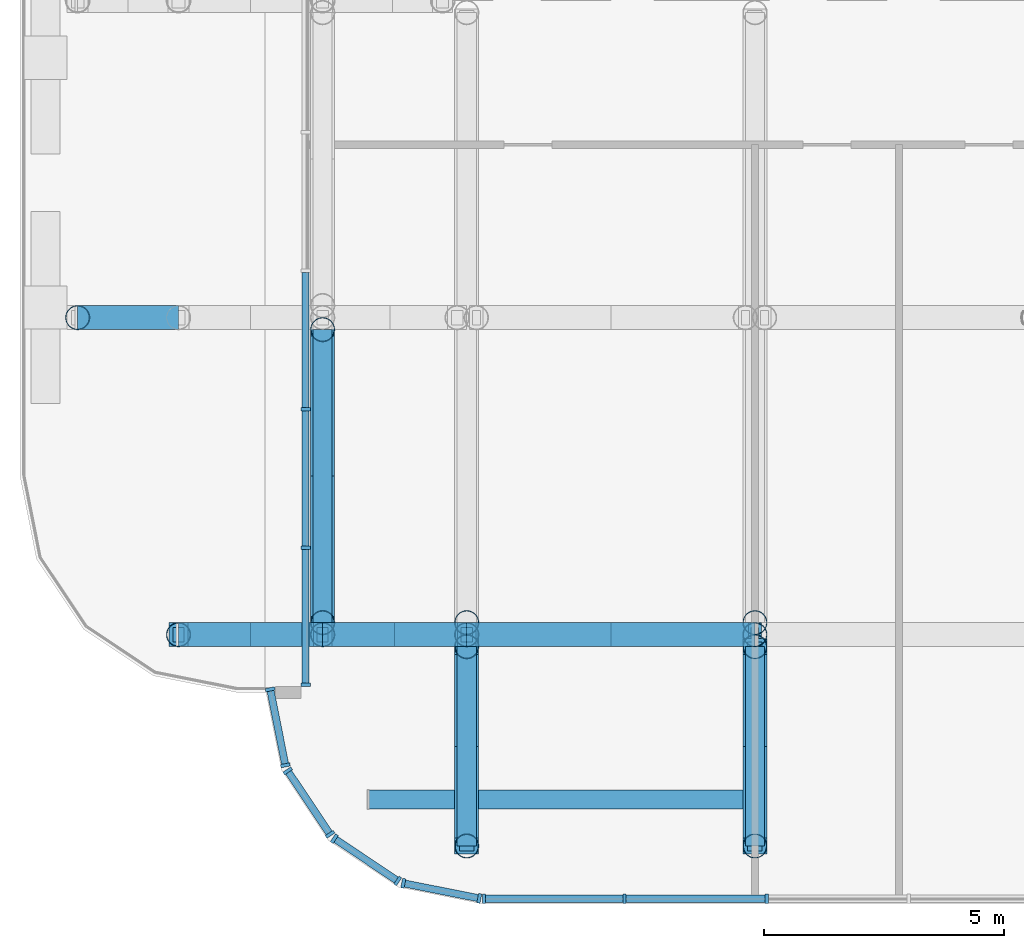
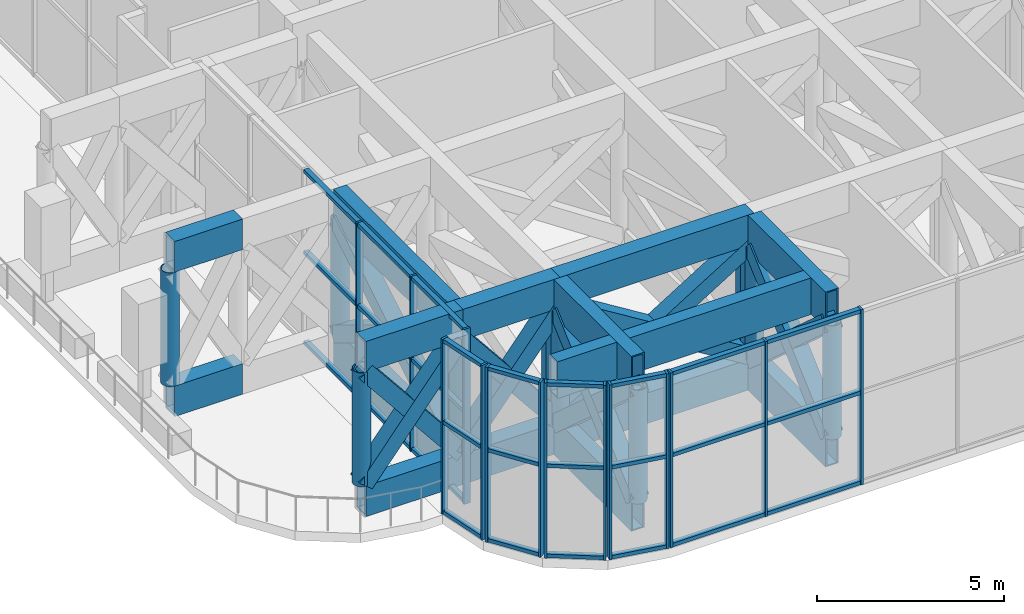
# One storey, part 1 of 25: 66 members, 15 beams, 6 elements without a shape of their own.
"""IFC4 building model written with IfcOpenShell, lengths in metres."""

from ifc_helpers import new_model, si_unit, direction, frame, origin, origin_2d, place, context, subcontext, project, spatial, rectangle, hollow_rectangle, hollow_circle, extrude, material, layer, layer_set, material_profile, profile_set, type_object, element, aggregate, save


model = new_model("IFC4")

# Units and contexts
model_context = context("Model", 3, precision=1e-05, world=origin(), true_north=direction((0.0, 1.0)))
body_context = subcontext(model_context, "Body", "Model", "MODEL_VIEW")
ifc_project = project(units=[si_unit("LENGTHUNIT", "METRE"), si_unit("AREAUNIT", "SQUARE_METRE"), si_unit("VOLUMEUNIT", "CUBIC_METRE"), si_unit("PLANEANGLEUNIT", "RADIAN"), si_unit("MASSUNIT", "GRAM", prefix="KILO")], contexts=[model_context])

# Site, building, storey
site_placement = place(None, origin())
site = spatial("IfcSite", under=ifc_project, at=site_placement, CompositionType="ELEMENT")
building_placement = place(site_placement, origin())
building = spatial("IfcBuilding", under=site, at=building_placement, Name="Torana Hotel and Residences", CompositionType="ELEMENT")
storey_placement = place(building_placement, frame((0.0, 0.0, 106.800048828125)))
storey = spatial("IfcBuildingStorey", under=building, at=storey_placement, Name="L27", CompositionType="ELEMENT", Elevation=106.800048828125)

# Curtain wall, members
ifc_material_1 = material(Name="Dark anodised aluminium", Category="aluminium")
ifc_layer = layer(ifc_material_1, 0.199951171875)
ifc_layer_set = layer_set([ifc_layer], Name="CW2 SKY LOBBY UNITISED CURTAIN WALL")
curtain_wall_type = type_object("IfcCurtainWallType", Name="CW2 SKY LOBBY UNITISED CURTAIN WALL", PredefinedType="NOTDEFINED", material=ifc_layer_set)
curtain_wall_1_placement = place(storey_placement, origin())
curtain_wall_1 = element("IfcCurtainWall", 1, at=curtain_wall_1_placement, inside=storey, type_object=curtain_wall_type, Name="Curtain wall CW2 L27 e0.9-2", PredefinedType="NOTDEFINED")
ifc_material_2 = material(Name="Dark anodised aluminium", Category="aluminium")
ifc_material_profile_1 = material_profile(ifc_material_2, rectangle(XDim=0.199951171875, YDim=0.070068359375, at=origin_2d()), Name="CW2 MULLION 70x200")
ifc_profile_set_1 = profile_set([ifc_material_profile_1], Name="Dark anodised aluminium")
member_type_1 = type_object("IfcMemberType", Name="CW2 MULLION 70x200", PredefinedType="MULLION", material=ifc_profile_set_1)
member_1_placement = place(storey_placement, frame((-27.35498046875, -23.508544921875, 0.0), z_axis=(0.0, 0.0, 1.0), x_axis=(1.0, 0.0, 0.0)))
member_1 = element("IfcMember", 2, at=member_1_placement, type_object=member_type_1, Name="CW2 mullion 4", PredefinedType="MULLION", context=body_context, shape_type="SweptSolid", body=[
    extrude(rectangle(XDim=0.199951171875, YDim=0.070068359375, at=origin_2d()), origin(), (0.0, 0.0, 1.0), 5.719970703125),
])
member_2_placement = place(storey_placement, frame((-27.35498046875, -26.39208984375, 0.0), z_axis=(0.0, 0.0, 1.0), x_axis=(1.0, 0.0, 0.0)))
member_2 = element("IfcMember", 3, at=member_2_placement, type_object=member_type_1, Name="CW2 mullion 5", PredefinedType="MULLION", context=body_context, shape_type="SweptSolid", body=[
    extrude(rectangle(XDim=0.199951171875, YDim=0.070068359375, at=origin_2d()), origin(), (0.0, 0.0, 1.0), 5.719970703125),
])
member_3_placement = place(storey_placement, frame((-27.35498046875, -29.240478515625, 0.0), z_axis=(0.0, 0.0, 1.0), x_axis=(1.0, 0.0, 0.0)))
member_3 = element("IfcMember", 4, at=member_3_placement, type_object=member_type_1, Name="CW2 mullion 6", PredefinedType="MULLION", context=body_context, shape_type="SweptSolid", body=[
    extrude(rectangle(XDim=0.199951171875, YDim=0.070068359375, at=origin_2d()), origin(), (0.0, 0.0, 1.0), 5.719970703125),
])

curtain_wall_2_placement = place(storey_placement, origin())
curtain_wall_2 = element("IfcCurtainWall", 5, at=curtain_wall_2_placement, inside=storey, type_object=curtain_wall_type, Name="Curtain wall CW2 L27 e0.10-1", PredefinedType="NOTDEFINED")
member_4_placement = place(storey_placement, frame((-28.09033203125, -29.3388671875, 0.0), z_axis=(0.0, 0.0, 1.0), x_axis=(0.980790545928, 0.195063848566, 0.0)))
member_4 = element("IfcMember", 6, at=member_4_placement, type_object=member_type_1, Name="CW2 mullion 1", PredefinedType="MULLION", context=body_context, shape_type="SweptSolid", body=[
    extrude(rectangle(XDim=0.199951171875, YDim=0.070068359375, at=origin_2d()), origin(), (0.0, 0.0, 1.0), 5.719970703125),
])
member_5_placement = place(storey_placement, frame((-27.77587890625, -30.91943359375, 0.0), z_axis=(0.0, 0.0, 1.0), x_axis=(0.980790545928, 0.195063848566, 0.0)))
member_5 = element("IfcMember", 7, at=member_5_placement, type_object=member_type_1, Name="CW2 mullion 2", PredefinedType="MULLION", context=body_context, shape_type="SweptSolid", body=[
    extrude(rectangle(XDim=0.199951171875, YDim=0.070068359375, at=origin_2d()), origin(), (0.0, 0.0, 1.0), 5.719970703125),
])

curtain_wall_3_placement = place(storey_placement, origin())
curtain_wall_3 = element("IfcCurtainWall", 8, at=curtain_wall_3_placement, inside=storey, type_object=curtain_wall_type, Name="Curtain wall CW2 L27 e0.11-1", PredefinedType="NOTDEFINED")
member_6_placement = place(storey_placement, frame((-27.727294921875, -31.037109375, 0.0), z_axis=(0.0, 0.0, 1.0), x_axis=(0.831473968618, 0.555563713278, 0.0)))
member_6 = element("IfcMember", 9, at=member_6_placement, type_object=member_type_1, Name="CW2 mullion 1", PredefinedType="MULLION", context=body_context, shape_type="SweptSolid", body=[
    extrude(rectangle(XDim=0.199951171875, YDim=0.070068359375, at=origin_2d()), origin(), (0.0, 0.0, 1.0), 5.719970703125),
])
member_7_placement = place(storey_placement, frame((-26.845947265625, -32.35595703125, 0.0), z_axis=(0.0, 0.0, 1.0), x_axis=(0.831473968618, 0.555563713278, 0.0)))
member_7 = element("IfcMember", 10, at=member_7_placement, type_object=member_type_1, Name="CW2 mullion 2", PredefinedType="MULLION", context=body_context, shape_type="SweptSolid", body=[
    extrude(rectangle(XDim=0.199951171875, YDim=0.070068359375, at=origin_2d()), origin(), (0.0, 0.0, 1.0), 5.719970703125),
])

curtain_wall_4_placement = place(storey_placement, origin())
curtain_wall_4 = element("IfcCurtainWall", 11, at=curtain_wall_4_placement, inside=storey, type_object=curtain_wall_type, Name="Curtain wall CW2 L27 e0.12-1", PredefinedType="NOTDEFINED")
member_8_placement = place(storey_placement, frame((-26.756103515625, -32.446044921875, 0.0), z_axis=(0.0, 0.0, 1.0), x_axis=(0.555563713278, 0.831473968618, 0.0)))
member_8 = element("IfcMember", 12, at=member_8_placement, type_object=member_type_1, Name="CW2 mullion 1", PredefinedType="MULLION", context=body_context, shape_type="SweptSolid", body=[
    extrude(rectangle(XDim=0.199951171875, YDim=0.070068359375, at=origin_2d()), origin(), (0.0, 0.0, 1.0), 5.719970703125),
])
member_9_placement = place(storey_placement, frame((-25.43701171875, -33.3271484375, 0.0), z_axis=(0.0, 0.0, 1.0), x_axis=(0.555563713278, 0.831473968618, 0.0)))
member_9 = element("IfcMember", 13, at=member_9_placement, type_object=member_type_1, Name="CW2 mullion 2", PredefinedType="MULLION", context=body_context, shape_type="SweptSolid", body=[
    extrude(rectangle(XDim=0.199951171875, YDim=0.070068359375, at=origin_2d()), origin(), (0.0, 0.0, 1.0), 5.719970703125),
])

curtain_wall_5_placement = place(storey_placement, origin())
curtain_wall_5 = element("IfcCurtainWall", 14, at=curtain_wall_5_placement, inside=storey, type_object=curtain_wall_type, Name="Curtain wall CW2 L27 e0.13-1", PredefinedType="NOTDEFINED")
member_10_placement = place(storey_placement, frame((-25.319580078125, -33.3759765625, 0.0), z_axis=(0.0, 0.0, 1.0), x_axis=(0.195063848566, 0.980790545928, 0.0)))
member_10 = element("IfcMember", 15, at=member_10_placement, type_object=member_type_1, Name="CW2 mullion 1", PredefinedType="MULLION", context=body_context, shape_type="SweptSolid", body=[
    extrude(rectangle(XDim=0.199951171875, YDim=0.070068359375, at=origin_2d()), origin(), (0.0, 0.0, 1.0), 5.719970703125),
])
member_11_placement = place(storey_placement, frame((-23.739013671875, -33.690185546875, 0.0), z_axis=(0.0, 0.0, 1.0), x_axis=(0.195063848566, 0.980790545928, 0.0)))
member_11 = element("IfcMember", 16, at=member_11_placement, type_object=member_type_1, Name="CW2 mullion 2", PredefinedType="MULLION", context=body_context, shape_type="SweptSolid", body=[
    extrude(rectangle(XDim=0.199951171875, YDim=0.070068359375, at=origin_2d()), origin(), (0.0, 0.0, 1.0), 5.719970703125),
])

curtain_wall_6_placement = place(storey_placement, origin())
curtain_wall_6 = element("IfcCurtainWall", 17, at=curtain_wall_6_placement, inside=storey, type_object=curtain_wall_type, Name="Curtain wall CW2 L27 e0.14-1", PredefinedType="NOTDEFINED")
member_12_placement = place(storey_placement, frame((-23.640380859375, -33.699951171875, 0.0), z_axis=(0.0, 0.0, 1.0), x_axis=(0.0, 1.0, 0.0)))
member_12 = element("IfcMember", 18, at=member_12_placement, type_object=member_type_1, Name="CW2 mullion 1", PredefinedType="MULLION", context=body_context, shape_type="SweptSolid", body=[
    extrude(rectangle(XDim=0.199951171875, YDim=0.070068359375, at=origin_2d()), origin(), (0.0, 0.0, 1.0), 5.719970703125),
])
member_13_placement = place(storey_placement, frame((-20.716064453125, -33.699951171875, 0.0), z_axis=(0.0, 0.0, 1.0), x_axis=(0.0, 1.0, 0.0)))
member_13 = element("IfcMember", 19, at=member_13_placement, type_object=member_type_1, Name="CW2 mullion 2", PredefinedType="MULLION", context=body_context, shape_type="SweptSolid", body=[
    extrude(rectangle(XDim=0.199951171875, YDim=0.070068359375, at=origin_2d()), origin(), (0.0, 0.0, 1.0), 5.719970703125),
])
member_14_placement = place(storey_placement, frame((-17.756591796875, -33.699951171875, 0.0), z_axis=(0.0, 0.0, 1.0), x_axis=(0.0, 1.0, 0.0)))
member_14 = element("IfcMember", 20, at=member_14_placement, type_object=member_type_1, Name="CW2 mullion 3", PredefinedType="MULLION", context=body_context, shape_type="SweptSolid", body=[
    extrude(rectangle(XDim=0.199951171875, YDim=0.070068359375, at=origin_2d()), origin(), (0.0, 0.0, 1.0), 5.719970703125),
])

# Member
ifc_material_3 = material(Name="Dark anodised aluminium", Category="aluminium")
ifc_material_profile_2 = material_profile(ifc_material_3, rectangle(XDim=0.14990234375, YDim=0.1201171875, at=origin_2d()), Name="CW2 TRANSOM 150x120")
ifc_profile_set_2 = profile_set([ifc_material_profile_2], Name="Dark anodised aluminium")
member_type_2 = type_object("IfcMemberType", Name="CW2 TRANSOM 150x120", PredefinedType="USERDEFINED", material=ifc_profile_set_2)
member_15_placement = place(storey_placement, frame((-27.35498046875, -20.66015625, 0.06005859375), z_axis=(0.0, -1.0, 0.0), x_axis=(1.0, 0.0, 0.0)))
member_15 = element("IfcMember", 21, at=member_15_placement, type_object=member_type_2, Name="CW2 transom 3.1", ObjectType="TRANSOM", PredefinedType="USERDEFINED", context=body_context, shape_type="SweptSolid", body=[
    extrude(rectangle(XDim=0.14990234375, YDim=0.1201171875, at=origin_2d()), origin(), (0.0, 0.0, 1.0), 2.8134765625),
])

member_16_placement = place(storey_placement, frame((-27.35498046875, -20.66015625, 3.0), z_axis=(0.0, -1.0, 0.0), x_axis=(1.0, 0.0, 0.0)))
member_16 = element("IfcMember", 22, at=member_16_placement, type_object=member_type_2, Name="CW2 transom 3.2", ObjectType="TRANSOM", PredefinedType="USERDEFINED", context=body_context, shape_type="SweptSolid", body=[
    extrude(rectangle(XDim=0.14990234375, YDim=0.1201171875, at=origin_2d()), origin(), (0.0, 0.0, 1.0), 2.8134765625),
])

member_17_placement = place(storey_placement, frame((-27.35498046875, -20.66015625, 5.659912109375), z_axis=(0.0, -1.0, 0.0), x_axis=(1.0, 0.0, 0.0)))
member_17 = element("IfcMember", 23, at=member_17_placement, type_object=member_type_2, Name="CW2 transom 3.3", ObjectType="TRANSOM", PredefinedType="USERDEFINED", context=body_context, shape_type="SweptSolid", body=[
    extrude(rectangle(XDim=0.14990234375, YDim=0.1201171875, at=origin_2d()), origin(), (0.0, 0.0, 1.0), 2.8134765625),
])

member_18_placement = place(storey_placement, frame((-27.35498046875, -23.54345703125, 0.06005859375), z_axis=(0.0, -1.0, 0.0), x_axis=(1.0, 0.0, 0.0)))
member_18 = element("IfcMember", 24, at=member_18_placement, type_object=member_type_2, Name="CW2 transom 4.1", ObjectType="TRANSOM", PredefinedType="USERDEFINED", context=body_context, shape_type="SweptSolid", body=[
    extrude(rectangle(XDim=0.14990234375, YDim=0.1201171875, at=origin_2d()), origin(), (0.0, 0.0, 1.0), 2.8134765625),
])

member_19_placement = place(storey_placement, frame((-27.35498046875, -23.54345703125, 3.0), z_axis=(0.0, -1.0, 0.0), x_axis=(1.0, 0.0, 0.0)))
member_19 = element("IfcMember", 25, at=member_19_placement, type_object=member_type_2, Name="CW2 transom 4.2", ObjectType="TRANSOM", PredefinedType="USERDEFINED", context=body_context, shape_type="SweptSolid", body=[
    extrude(rectangle(XDim=0.14990234375, YDim=0.1201171875, at=origin_2d()), origin(), (0.0, 0.0, 1.0), 2.8134765625),
])

member_20_placement = place(storey_placement, frame((-27.35498046875, -23.54345703125, 5.659912109375), z_axis=(0.0, -1.0, 0.0), x_axis=(1.0, 0.0, 0.0)))
member_20 = element("IfcMember", 26, at=member_20_placement, type_object=member_type_2, Name="CW2 transom 4.3", ObjectType="TRANSOM", PredefinedType="USERDEFINED", context=body_context, shape_type="SweptSolid", body=[
    extrude(rectangle(XDim=0.14990234375, YDim=0.1201171875, at=origin_2d()), origin(), (0.0, 0.0, 1.0), 2.8134765625),
])

member_21_placement = place(storey_placement, frame((-27.35498046875, -26.427001953125, 0.06005859375), z_axis=(0.0, -1.0, 0.0), x_axis=(1.0, 0.0, 0.0)))
member_21 = element("IfcMember", 27, at=member_21_placement, type_object=member_type_2, Name="CW2 transom 5.1", ObjectType="TRANSOM", PredefinedType="USERDEFINED", context=body_context, shape_type="SweptSolid", body=[
    extrude(rectangle(XDim=0.14990234375, YDim=0.1201171875, at=origin_2d()), origin(), (0.0, 0.0, 1.0), 2.7783203125),
])

member_22_placement = place(storey_placement, frame((-27.35498046875, -26.427001953125, 3.0), z_axis=(0.0, -1.0, 0.0), x_axis=(1.0, 0.0, 0.0)))
member_22 = element("IfcMember", 28, at=member_22_placement, type_object=member_type_2, Name="CW2 transom 5.2", ObjectType="TRANSOM", PredefinedType="USERDEFINED", context=body_context, shape_type="SweptSolid", body=[
    extrude(rectangle(XDim=0.14990234375, YDim=0.1201171875, at=origin_2d()), origin(), (0.0, 0.0, 1.0), 2.7783203125),
])

member_23_placement = place(storey_placement, frame((-27.35498046875, -26.427001953125, 5.659912109375), z_axis=(0.0, -1.0, 0.0), x_axis=(1.0, 0.0, 0.0)))
member_23 = element("IfcMember", 29, at=member_23_placement, type_object=member_type_2, Name="CW2 transom 5.3", ObjectType="TRANSOM", PredefinedType="USERDEFINED", context=body_context, shape_type="SweptSolid", body=[
    extrude(rectangle(XDim=0.14990234375, YDim=0.1201171875, at=origin_2d()), origin(), (0.0, 0.0, 1.0), 2.7783203125),
])

aggregate(curtain_wall_1, [member_1, member_2, member_3, member_15, member_16, member_17, member_18, member_19, member_20, member_21, member_22, member_23])

member_24_placement = place(storey_placement, frame((-28.08349609375, -29.373291015625, 0.06005859375), z_axis=(0.19511099609, -0.980781167848, 0.0), x_axis=(0.980781167848, 0.19511099609, 0.0)))
member_24 = element("IfcMember", 30, at=member_24_placement, type_object=member_type_2, Name="CW2 transom 1.1", ObjectType="TRANSOM", PredefinedType="USERDEFINED", context=body_context, shape_type="SweptSolid", body=[
    extrude(rectangle(XDim=0.14990234375, YDim=0.1201171875, at=origin_2d()), origin(), (0.0, 0.0, 1.0), 1.54150390625),
])

member_25_placement = place(storey_placement, frame((-28.08349609375, -29.373291015625, 3.0), z_axis=(0.19511099609, -0.980781167848, 0.0), x_axis=(0.980781167848, 0.19511099609, 0.0)))
member_25 = element("IfcMember", 31, at=member_25_placement, type_object=member_type_2, Name="CW2 transom 1.2", ObjectType="TRANSOM", PredefinedType="USERDEFINED", context=body_context, shape_type="SweptSolid", body=[
    extrude(rectangle(XDim=0.14990234375, YDim=0.1201171875, at=origin_2d()), origin(), (0.0, 0.0, 1.0), 1.54150390625),
])

member_26_placement = place(storey_placement, frame((-28.08349609375, -29.373291015625, 5.659912109375), z_axis=(0.19511099609, -0.980781167848, 0.0), x_axis=(0.980781167848, 0.19511099609, 0.0)))
member_26 = element("IfcMember", 32, at=member_26_placement, type_object=member_type_2, Name="CW2 transom 1.3", ObjectType="TRANSOM", PredefinedType="USERDEFINED", context=body_context, shape_type="SweptSolid", body=[
    extrude(rectangle(XDim=0.14990234375, YDim=0.1201171875, at=origin_2d()), origin(), (0.0, 0.0, 1.0), 1.54150390625),
])

aggregate(curtain_wall_2, [member_4, member_5, member_24, member_25, member_26])

member_27_placement = place(storey_placement, frame((-27.707763671875, -31.066162109375, 0.06005859375), z_axis=(0.555517412319, -0.83150490354, 0.0), x_axis=(0.83150490354, 0.555517412319, 0.0)))
member_27 = element("IfcMember", 33, at=member_27_placement, type_object=member_type_2, Name="CW2 transom 1.1", ObjectType="TRANSOM", PredefinedType="USERDEFINED", context=body_context, shape_type="SweptSolid", body=[
    extrude(rectangle(XDim=0.14990234375, YDim=0.1201171875, at=origin_2d()), origin(), (0.0, 0.0, 1.0), 1.51611328125),
])

member_28_placement = place(storey_placement, frame((-27.707763671875, -31.066162109375, 3.0), z_axis=(0.555517412319, -0.83150490354, 0.0), x_axis=(0.83150490354, 0.555517412319, 0.0)))
member_28 = element("IfcMember", 34, at=member_28_placement, type_object=member_type_2, Name="CW2 transom 1.2", ObjectType="TRANSOM", PredefinedType="USERDEFINED", context=body_context, shape_type="SweptSolid", body=[
    extrude(rectangle(XDim=0.14990234375, YDim=0.1201171875, at=origin_2d()), origin(), (0.0, 0.0, 1.0), 1.51611328125),
])

member_29_placement = place(storey_placement, frame((-27.707763671875, -31.066162109375, 5.659912109375), z_axis=(0.555517412319, -0.83150490354, 0.0), x_axis=(0.83150490354, 0.555517412319, 0.0)))
member_29 = element("IfcMember", 35, at=member_29_placement, type_object=member_type_2, Name="CW2 transom 1.3", ObjectType="TRANSOM", PredefinedType="USERDEFINED", context=body_context, shape_type="SweptSolid", body=[
    extrude(rectangle(XDim=0.14990234375, YDim=0.1201171875, at=origin_2d()), origin(), (0.0, 0.0, 1.0), 1.51611328125),
])

aggregate(curtain_wall_3, [member_6, member_7, member_27, member_28, member_29])

member_30_placement = place(storey_placement, frame((-26.726806640625, -32.46533203125, 0.06005859375), z_axis=(0.831430525328, -0.555628726357, 0.0), x_axis=(0.555628726357, 0.831430525328, 0.0)))
member_30 = element("IfcMember", 36, at=member_30_placement, type_object=member_type_2, Name="CW2 transom 1.1", ObjectType="TRANSOM", PredefinedType="USERDEFINED", context=body_context, shape_type="SweptSolid", body=[
    extrude(rectangle(XDim=0.14990234375, YDim=0.1201171875, at=origin_2d()), origin(), (0.0, 0.0, 1.0), 1.516357421875),
])

member_31_placement = place(storey_placement, frame((-26.726806640625, -32.46533203125, 3.0), z_axis=(0.831430525328, -0.555628726357, 0.0), x_axis=(0.555628726357, 0.831430525328, 0.0)))
member_31 = element("IfcMember", 37, at=member_31_placement, type_object=member_type_2, Name="CW2 transom 1.2", ObjectType="TRANSOM", PredefinedType="USERDEFINED", context=body_context, shape_type="SweptSolid", body=[
    extrude(rectangle(XDim=0.14990234375, YDim=0.1201171875, at=origin_2d()), origin(), (0.0, 0.0, 1.0), 1.516357421875),
])

member_32_placement = place(storey_placement, frame((-26.726806640625, -32.46533203125, 5.659912109375), z_axis=(0.831430525328, -0.555628726357, 0.0), x_axis=(0.555628726357, 0.831430525328, 0.0)))
member_32 = element("IfcMember", 38, at=member_32_placement, type_object=member_type_2, Name="CW2 transom 1.3", ObjectType="TRANSOM", PredefinedType="USERDEFINED", context=body_context, shape_type="SweptSolid", body=[
    extrude(rectangle(XDim=0.14990234375, YDim=0.1201171875, at=origin_2d()), origin(), (0.0, 0.0, 1.0), 1.516357421875),
])

aggregate(curtain_wall_4, [member_8, member_9, member_30, member_31, member_32])

member_33_placement = place(storey_placement, frame((-25.28515625, -33.3828125, 0.06005859375), z_axis=(0.980811462692, -0.194958648567, 0.0), x_axis=(0.194958648567, 0.980811462692, 0.0)))
member_33 = element("IfcMember", 39, at=member_33_placement, type_object=member_type_2, Name="CW2 transom 1.1", ObjectType="TRANSOM", PredefinedType="USERDEFINED", context=body_context, shape_type="SweptSolid", body=[
    extrude(rectangle(XDim=0.14990234375, YDim=0.1201171875, at=origin_2d()), origin(), (0.0, 0.0, 1.0), 1.54150390625),
])

member_34_placement = place(storey_placement, frame((-25.28515625, -33.3828125, 3.0), z_axis=(0.980811462692, -0.194958648567, 0.0), x_axis=(0.194958648567, 0.980811462692, 0.0)))
member_34 = element("IfcMember", 40, at=member_34_placement, type_object=member_type_2, Name="CW2 transom 1.2", ObjectType="TRANSOM", PredefinedType="USERDEFINED", context=body_context, shape_type="SweptSolid", body=[
    extrude(rectangle(XDim=0.14990234375, YDim=0.1201171875, at=origin_2d()), origin(), (0.0, 0.0, 1.0), 1.54150390625),
])

member_35_placement = place(storey_placement, frame((-25.28515625, -33.3828125, 5.659912109375), z_axis=(0.980811462692, -0.194958648567, 0.0), x_axis=(0.194958648567, 0.980811462692, 0.0)))
member_35 = element("IfcMember", 41, at=member_35_placement, type_object=member_type_2, Name="CW2 transom 1.3", ObjectType="TRANSOM", PredefinedType="USERDEFINED", context=body_context, shape_type="SweptSolid", body=[
    extrude(rectangle(XDim=0.14990234375, YDim=0.1201171875, at=origin_2d()), origin(), (0.0, 0.0, 1.0), 1.54150390625),
])

aggregate(curtain_wall_5, [member_10, member_11, member_33, member_34, member_35])

member_36_placement = place(storey_placement, frame((-23.60546875, -33.699951171875, 0.06005859375), z_axis=(1.0, 0.0, 0.0), x_axis=(0.0, 1.0, 0.0)))
member_36 = element("IfcMember", 42, at=member_36_placement, type_object=member_type_2, Name="CW2 transom 1.1", ObjectType="TRANSOM", PredefinedType="USERDEFINED", context=body_context, shape_type="SweptSolid", body=[
    extrude(rectangle(XDim=0.14990234375, YDim=0.1201171875, at=origin_2d()), origin(), (0.0, 0.0, 1.0), 2.8544921875),
])

member_37_placement = place(storey_placement, frame((-23.60546875, -33.699951171875, 3.0), z_axis=(1.0, 0.0, 0.0), x_axis=(0.0, 1.0, 0.0)))
member_37 = element("IfcMember", 43, at=member_37_placement, type_object=member_type_2, Name="CW2 transom 1.2", ObjectType="TRANSOM", PredefinedType="USERDEFINED", context=body_context, shape_type="SweptSolid", body=[
    extrude(rectangle(XDim=0.14990234375, YDim=0.1201171875, at=origin_2d()), origin(), (0.0, 0.0, 1.0), 2.8544921875),
])

member_38_placement = place(storey_placement, frame((-23.60546875, -33.699951171875, 5.659912109375), z_axis=(1.0, 0.0, 0.0), x_axis=(0.0, 1.0, 0.0)))
member_38 = element("IfcMember", 44, at=member_38_placement, type_object=member_type_2, Name="CW2 transom 1.3", ObjectType="TRANSOM", PredefinedType="USERDEFINED", context=body_context, shape_type="SweptSolid", body=[
    extrude(rectangle(XDim=0.14990234375, YDim=0.1201171875, at=origin_2d()), origin(), (0.0, 0.0, 1.0), 2.8544921875),
])

member_39_placement = place(storey_placement, frame((-20.680908203125, -33.699951171875, 0.06005859375), z_axis=(1.0, 0.0, 0.0), x_axis=(0.0, 1.0, 0.0)))
member_39 = element("IfcMember", 45, at=member_39_placement, type_object=member_type_2, Name="CW2 transom 2.1", ObjectType="TRANSOM", PredefinedType="USERDEFINED", context=body_context, shape_type="SweptSolid", body=[
    extrude(rectangle(XDim=0.14990234375, YDim=0.1201171875, at=origin_2d()), origin(), (0.0, 0.0, 1.0), 2.889404296875),
])

member_40_placement = place(storey_placement, frame((-20.680908203125, -33.699951171875, 3.0), z_axis=(1.0, 0.0, 0.0), x_axis=(0.0, 1.0, 0.0)))
member_40 = element("IfcMember", 46, at=member_40_placement, type_object=member_type_2, Name="CW2 transom 2.2", ObjectType="TRANSOM", PredefinedType="USERDEFINED", context=body_context, shape_type="SweptSolid", body=[
    extrude(rectangle(XDim=0.14990234375, YDim=0.1201171875, at=origin_2d()), origin(), (0.0, 0.0, 1.0), 2.889404296875),
])

member_41_placement = place(storey_placement, frame((-20.680908203125, -33.699951171875, 5.659912109375), z_axis=(1.0, 0.0, 0.0), x_axis=(0.0, 1.0, 0.0)))
member_41 = element("IfcMember", 47, at=member_41_placement, type_object=member_type_2, Name="CW2 transom 2.3", ObjectType="TRANSOM", PredefinedType="USERDEFINED", context=body_context, shape_type="SweptSolid", body=[
    extrude(rectangle(XDim=0.14990234375, YDim=0.1201171875, at=origin_2d()), origin(), (0.0, 0.0, 1.0), 2.889404296875),
])

aggregate(curtain_wall_6, [member_12, member_13, member_14, member_36, member_37, member_38, member_39, member_40, member_41])

# Beams
ifc_material_4 = material(Name="Steel S355", Category="steel")
ifc_material_profile_3 = material_profile(ifc_material_4, hollow_rectangle(XDim=0.5, YDim=1.0, WallThickness=0.050048828125, at=origin_2d()), Name="BOX 1000x500x50")
ifc_profile_set_3 = profile_set([ifc_material_profile_3], Name="Steel S355")
beam_type_1 = type_object("IfcBeamType", Name="STEEL CHORD BOX 1000x500x50", PredefinedType="BEAM", material=ifc_profile_set_3)
for number, where, z_axis, x_axis, name in (
    (48, (-30.0, -28.199951171875, 0.5), (1.0, 0.0, 0.0), (0.0, 1.0, 0.0), "Transfer chord L27"),
    (49, (-30.0, -28.199951171875, 5.219970703125), (1.0, 0.0, 0.0), (0.0, 1.0, 0.0), "Transfer chord L27"),
    (50, (-27.0, -28.199951171875, 0.5), (1.0, 0.0, 0.0), (0.0, 1.0, 0.0), "Transfer chord L27"),
    (51, (-27.0, -28.199951171875, 5.219970703125), (1.0, 0.0, 0.0), (0.0, 1.0, 0.0), "Transfer chord L27"),
):
    element("IfcBeam", number, at=place(storey_placement, frame(where, z_axis=z_axis, x_axis=x_axis)), inside=storey, type_object=beam_type_1, Name=name, PredefinedType="BEAM", context=body_context, shape_type="SweptSolid", body=[
        extrude(hollow_rectangle(XDim=0.5, YDim=1.0, WallThickness=0.050048828125, at=origin_2d()), origin(), (0.0, 0.0, 1.0), 3.0),
    ])
for number, where, z_axis, x_axis, name in (
    (52, (-24.0, -28.199951171875, 0.5), (1.0, 0.0, 0.0), (0.0, 1.0, 0.0), "Transfer chord L27"),
    (53, (-24.0, -28.199951171875, 5.219970703125), (1.0, 0.0, 0.0), (0.0, 1.0, 0.0), "Transfer chord L27"),
):
    element("IfcBeam", number, at=place(storey_placement, frame(where, z_axis=z_axis, x_axis=x_axis)), inside=storey, type_object=beam_type_1, Name=name, PredefinedType="BEAM", context=body_context, shape_type="SweptSolid", body=[
        extrude(hollow_rectangle(XDim=0.5, YDim=1.0, WallThickness=0.050048828125, at=origin_2d()), origin(), (0.0, 0.0, 1.0), 6.0),
    ])
for number, where, z_axis, x_axis, name in (
    (54, (-32.10009765625, -21.60009765625, 0.5), (1.0, 0.0, 0.0), (0.0, 1.0, 0.0), "Transfer chord L27"),
    (55, (-32.10009765625, -21.60009765625, 5.219970703125), (1.0, 0.0, 0.0), (0.0, 1.0, 0.0), "Transfer chord L27"),
):
    element("IfcBeam", number, at=place(storey_placement, frame(where, z_axis=z_axis, x_axis=x_axis)), inside=storey, type_object=beam_type_1, Name=name, PredefinedType="BEAM", context=body_context, shape_type="SweptSolid", body=[
        extrude(hollow_rectangle(XDim=0.5, YDim=1.0, WallThickness=0.050048828125, at=origin_2d()), origin(), (0.0, 0.0, 1.0), 2.10009765625),
    ])
ifc_material_5 = material(Name="Steel S355", Category="steel")
ifc_material_profile_4 = material_profile(ifc_material_5, hollow_rectangle(XDim=0.39990234375, YDim=1.199951171875, WallThickness=0.0400390625, at=origin_2d()), Name="BOX 1200x400x40")
ifc_profile_set_4 = profile_set([ifc_material_profile_4], Name="Steel S355")
beam_type_2 = type_object("IfcBeamType", Name="STEEL CHORD BOX 1200x400x40", PredefinedType="BEAM", material=ifc_profile_set_4)
for number, where, z_axis, x_axis, name in (
    (56, (-27.0, -27.949951171875, 0.599853515625), (0.0, 1.0, 0.0), (-1.0, 0.0, 0.0), "Transfer chord L27"),
    (57, (-27.0, -27.949951171875, 5.119873046875), (0.0, 1.0, 0.0), (-1.0, 0.0, 0.0), "Transfer chord L27"),
):
    element("IfcBeam", number, at=place(storey_placement, frame(where, z_axis=z_axis, x_axis=x_axis)), inside=storey, type_object=beam_type_2, Name=name, PredefinedType="BEAM", context=body_context, shape_type="SweptSolid", body=[
        extrude(hollow_rectangle(XDim=0.39990234375, YDim=1.199951171875, WallThickness=0.0400390625, at=origin_2d()), origin(), (0.0, 0.0, 1.0), 6.099853515625),
    ])
for number, where, z_axis, x_axis, name in (
    (58, (-24.0, -32.60009765625, 0.599853515625), (0.0, 1.0, 0.0), (-1.0, 0.0, 0.0), "Transfer chord L27"),
    (59, (-24.0, -32.60009765625, 5.119873046875), (0.0, 1.0, 0.0), (-1.0, 0.0, 0.0), "Transfer chord L27"),
    (60, (-18.0, -32.60009765625, 0.599853515625), (0.0, 1.0, 0.0), (-1.0, 0.0, 0.0), "Transfer chord L27"),
    (61, (-18.0, -32.60009765625, 5.119873046875), (0.0, 1.0, 0.0), (-1.0, 0.0, 0.0), "Transfer chord L27"),
):
    element("IfcBeam", number, at=place(storey_placement, frame(where, z_axis=z_axis, x_axis=x_axis)), inside=storey, type_object=beam_type_2, Name=name, PredefinedType="BEAM", context=body_context, shape_type="SweptSolid", body=[
        extrude(hollow_rectangle(XDim=0.39990234375, YDim=1.199951171875, WallThickness=0.0400390625, at=origin_2d()), origin(), (0.0, 0.0, 1.0), 4.150146484375),
    ])
beam_placement = place(storey_placement, frame((-26.030029296875, -31.6298828125, 5.119873046875), z_axis=(1.0, 0.0, 0.0), x_axis=(0.0, 1.0, 0.0)))
element("IfcBeam", 62, at=beam_placement, inside=storey, type_object=beam_type_2, Name="Transfer link L27", PredefinedType="BEAM", context=body_context, shape_type="SweptSolid", body=[
    extrude(hollow_rectangle(XDim=0.39990234375, YDim=1.199951171875, WallThickness=0.0400390625, at=origin_2d()), origin(), (0.0, 0.0, 1.0), 8.030029296875),
])

# Members
ifc_material_6 = material(Name="Steel S355", Category="steel")
ifc_material_profile_5 = material_profile(ifc_material_6, hollow_rectangle(XDim=0.5, YDim=0.5, WallThickness=0.10009765625, at=origin_2d()), Name="BOX 500x500x100")
ifc_profile_set_5 = profile_set([ifc_material_profile_5], Name="Steel S355")
member_type_3 = type_object("IfcMemberType", Name="STEEL DIAGONAL BOX 500x500x100", PredefinedType="BRACE", material=ifc_profile_set_5)
for number, where, z_axis, x_axis, name in (
    (63, (-30.0, -28.199951171875, 1.0), (0.627755446821, 0.0, 0.778410623634), (0.0, 1.0, 0.0), "Truss diagonal L27"),
    (64, (-27.0, -28.199951171875, 1.0), (-0.627755446821, 0.0, 0.778410623634), (0.0, -1.0, 0.0), "Truss diagonal L27"),
    (65, (-27.0, -28.199951171875, 1.0), (0.627755446821, 0.0, 0.778410623634), (0.0, 1.0, 0.0), "Truss diagonal L27"),
    (66, (-24.0, -28.199951171875, 1.0), (-0.627755446821, 0.0, 0.778410623634), (0.0, -1.0, 0.0), "Truss diagonal L27"),
):
    element("IfcMember", number, at=place(storey_placement, frame(where, z_axis=z_axis, x_axis=x_axis)), inside=storey, type_object=member_type_3, Name=name, PredefinedType="BRACE", context=body_context, shape_type="SweptSolid", body=[
        extrude(hollow_rectangle(XDim=0.5, YDim=0.5, WallThickness=0.10009765625, at=origin_2d()), origin(), (0.0, 0.0, 1.0), 4.779052734375),
    ])
for number, where, z_axis, x_axis, name in (
    (67, (-24.0, -28.199951171875, 1.0), (0.84990455024, 0.0, 0.526936671224), (0.0, 1.0, 0.0), "Truss diagonal L27"),
    (68, (-18.0, -28.199951171875, 1.0), (-0.84990455024, 0.0, 0.526936671224), (0.0, -1.0, 0.0), "Truss diagonal L27"),
):
    element("IfcMember", number, at=place(storey_placement, frame(where, z_axis=z_axis, x_axis=x_axis)), inside=storey, type_object=member_type_3, Name=name, PredefinedType="BRACE", context=body_context, shape_type="SweptSolid", body=[
        extrude(hollow_rectangle(XDim=0.5, YDim=0.5, WallThickness=0.10009765625, at=origin_2d()), origin(), (0.0, 0.0, 1.0), 7.0595703125),
    ])
for number, where, z_axis, x_axis, name in (
    (69, (-27.0, -27.949951171875, 1.0), (0.0, 0.853762091888, 0.520663317755), (-1.0, 0.0, 0.0), "Truss diagonal L27"),
    (70, (-27.0, -21.85009765625, 1.0), (0.0, -0.853762091888, 0.520663317755), (1.0, 0.0, 0.0), "Truss diagonal L27"),
):
    element("IfcMember", number, at=place(storey_placement, frame(where, z_axis=z_axis, x_axis=x_axis)), inside=storey, type_object=member_type_3, Name=name, PredefinedType="BRACE", context=body_context, shape_type="SweptSolid", body=[
        extrude(hollow_rectangle(XDim=0.5, YDim=0.5, WallThickness=0.10009765625, at=origin_2d()), origin(), (0.0, 0.0, 1.0), 7.144775390625),
    ])
for number, where, z_axis, x_axis, name in (
    (71, (-24.0, -32.60009765625, 1.0), (0.0, 0.74464526482, 0.66746043297), (-1.0, 0.0, 0.0), "Truss diagonal L27"),
    (72, (-24.0, -28.449951171875, 1.0), (0.0, -0.74464526482, 0.66746043297), (1.0, 0.0, 0.0), "Truss diagonal L27"),
    (73, (-18.0, -32.60009765625, 1.0), (0.0, 0.74464526482, 0.66746043297), (-1.0, 0.0, 0.0), "Truss diagonal L27"),
    (74, (-18.0, -28.449951171875, 1.0), (0.0, -0.74464526482, 0.66746043297), (1.0, 0.0, 0.0), "Truss diagonal L27"),
):
    element("IfcMember", number, at=place(storey_placement, frame(where, z_axis=z_axis, x_axis=x_axis)), inside=storey, type_object=member_type_3, Name=name, PredefinedType="BRACE", context=body_context, shape_type="SweptSolid", body=[
        extrude(hollow_rectangle(XDim=0.5, YDim=0.5, WallThickness=0.10009765625, at=origin_2d()), origin(), (0.0, 0.0, 1.0), 5.5732421875),
    ])
ifc_material_7 = material(Name="Steel S355", Category="steel")
ifc_material_profile_6 = material_profile(ifc_material_7, hollow_circle(Radius=0.25390625, WallThickness=0.01611328125, at=origin_2d()), Name="508x16 CHS")
ifc_profile_set_6 = profile_set([ifc_material_profile_6], Name="Steel S355")
member_type_4 = type_object("IfcMemberType", Name="STEEL POST 508x16 CHS", PredefinedType="POST", material=ifc_profile_set_6)
for number, where, z_axis, x_axis, name in (
    (75, (-30.0, -28.199951171875, 1.0), (0.0, 0.0, 1.0), (1.0, 0.0, 0.0), "Truss post L27"),
    (76, (-27.0, -28.199951171875, 1.0), (0.0, 0.0, 1.0), (1.0, 0.0, 0.0), "Truss post L27"),
    (77, (-24.0, -28.199951171875, 1.0), (0.0, 0.0, 1.0), (1.0, 0.0, 0.0), "Truss post L27"),
    (78, (-18.0, -28.199951171875, 1.0), (0.0, 0.0, 1.0), (1.0, 0.0, 0.0), "Truss post L27"),
    (79, (-32.10009765625, -21.60009765625, 1.0), (0.0, 0.0, 1.0), (1.0, 0.0, 0.0), "Truss post L27"),
    (80, (-27.0, -27.949951171875, 1.0), (0.0, 0.0, 1.0), (1.0, 0.0, 0.0), "Truss post L27"),
    (81, (-27.0, -21.85009765625, 1.0), (0.0, 0.0, 1.0), (1.0, 0.0, 0.0), "Truss post L27"),
    (82, (-24.0, -32.60009765625, 1.0), (0.0, 0.0, 1.0), (1.0, 0.0, 0.0), "Truss post L27"),
    (83, (-24.0, -28.449951171875, 1.0), (0.0, 0.0, 1.0), (1.0, 0.0, 0.0), "Truss post L27"),
    (84, (-24.0, -27.949951171875, 1.0), (0.0, 0.0, 1.0), (1.0, 0.0, 0.0), "Truss post L27"),
    (85, (-18.0, -32.60009765625, 1.0), (0.0, 0.0, 1.0), (1.0, 0.0, 0.0), "Truss post L27"),
    (86, (-18.0, -28.449951171875, 1.0), (0.0, 0.0, 1.0), (1.0, 0.0, 0.0), "Truss post L27"),
    (87, (-18.0, -27.949951171875, 1.0), (0.0, 0.0, 1.0), (1.0, 0.0, 0.0), "Truss post L27"),
):
    element("IfcMember", number, at=place(storey_placement, frame(where, z_axis=z_axis, x_axis=x_axis)), inside=storey, type_object=member_type_4, Name=name, PredefinedType="POST", context=body_context, shape_type="SweptSolid", body=[
        extrude(hollow_circle(Radius=0.25390625, WallThickness=0.01611328125, at=origin_2d()), origin(), (0.0, 0.0, 1.0), 3.719970703125),
    ])

save(model, "model.ifc")
